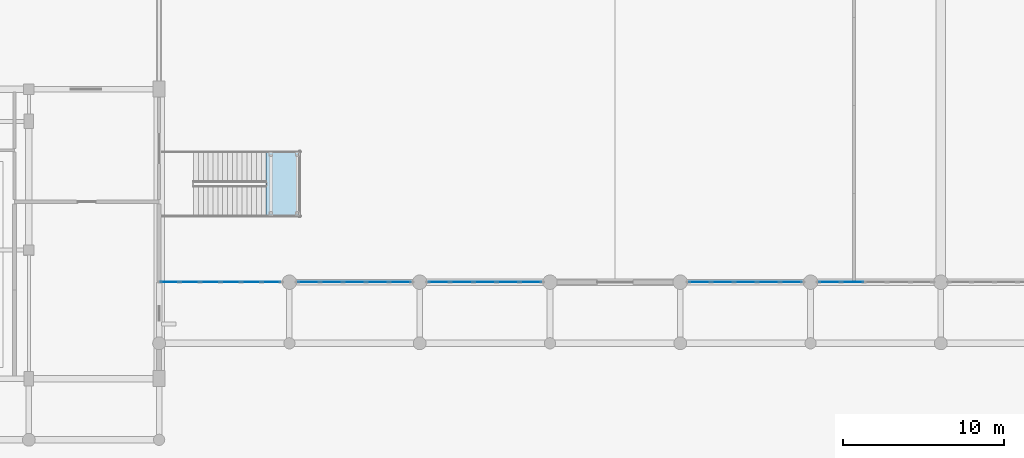
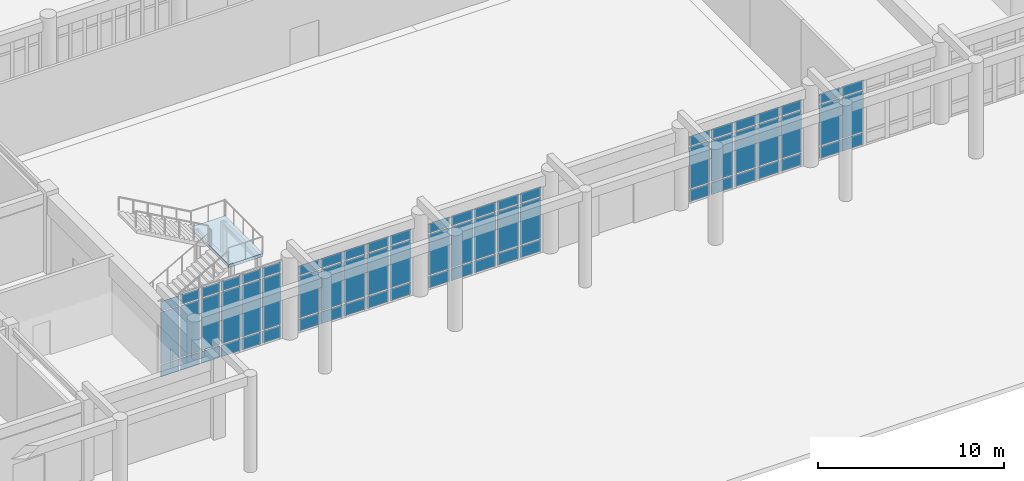
# One storey, part 31 of 62: 69 plates, 1 slab, 6 elements without a shape of their own.
"""IFC4 building model written with IfcOpenShell, lengths in metres."""

from ifc_helpers import new_model, si_unit, direction, frame, origin, origin_2d, place, context, subcontext, project, spatial, polyline, rectangle, outline, extrude, material, layer, layer_set, type_object, element, aggregate, save


model = new_model("IFC4")

# Units and contexts
model_context = context("Model", 3, precision=1e-05, world=origin(), true_north=direction((0.0, 1.0)))
body_context = subcontext(model_context, "Body", "Model", "MODEL_VIEW")
ifc_project = project(units=[si_unit("LENGTHUNIT", "METRE"), si_unit("AREAUNIT", "SQUARE_METRE"), si_unit("VOLUMEUNIT", "CUBIC_METRE"), si_unit("PLANEANGLEUNIT", "RADIAN"), si_unit("MASSUNIT", "GRAM", prefix="KILO")], contexts=[model_context])

# Site, building, storey
site_placement = place(None, origin())
site = spatial("IfcSite", under=ifc_project, at=site_placement, CompositionType="ELEMENT")
building_placement = place(site_placement, origin())
building = spatial("IfcBuilding", under=site, at=building_placement, Name="Tarnveldt Square Police Headquarters", CompositionType="ELEMENT")
storey_placement = place(building_placement, origin())
storey = spatial("IfcBuildingStorey", under=building, at=storey_placement, Name="L00", CompositionType="ELEMENT", Elevation=0.0)

# Curtain wall, plates
ifc_material_1 = material(Name="Triple-glazed low-e laminated vision glass", Category="glass")
curtain_wall_type_1 = type_object("IfcCurtainWallType", Name="CW-EH-764x512", PredefinedType="USERDEFINED", material=ifc_material_1)
curtain_wall_1_placement = place(storey_placement, origin())
curtain_wall_1 = element("IfcCurtainWall", 1, at=curtain_wall_1_placement, inside=storey, type_object=curtain_wall_type_1, Name="L00 Curtain Wall CW-L00-001", ObjectType="GLAZED CURTAIN WALL", PredefinedType="USERDEFINED")
ifc_material_2 = material(Name="UL 752 Level III laminated ballistic vision glass", Category="glass")
ifc_layer_1 = layer(ifc_material_2, 0.0380859375)
ifc_layer_set_1 = layer_set([ifc_layer_1], Name="UL 752 Level III laminated ballistic vision glass")
plate_type = type_object("IfcPlateType", Name="CWP-BAL-38", PredefinedType="CURTAIN_PANEL", material=ifc_layer_set_1)
plate_1_placement = place(storey_placement, frame((65.458740234375, 22.0, 0.0849609375), z_axis=(0.0, 0.0, 1.0), x_axis=(1.0, 0.0, 0.0)))
plate_1 = element("IfcPlate", 2, at=plate_1_placement, type_object=plate_type, Name="CW-EH01 panel 1.1", PredefinedType="CURTAIN_PANEL", context=body_context, shape_type="SweptSolid", body=[
    extrude(rectangle(XDim=1.137451171875, YDim=0.0380859375, at=origin_2d()), origin(), (0.0, 0.0, 1.0), 0.7724609375),
])
plate_2_placement = place(storey_placement, frame((65.458740234375, 22.0, 0.9423828125), z_axis=(0.0, 0.0, 1.0), x_axis=(1.0, 0.0, 0.0)))
plate_2 = element("IfcPlate", 3, at=plate_2_placement, type_object=plate_type, Name="CW-EH01 panel 1.2", PredefinedType="CURTAIN_PANEL", context=body_context, shape_type="SweptSolid", body=[
    extrude(rectangle(XDim=1.137451171875, YDim=0.0380859375, at=origin_2d()), origin(), (0.0, 0.0, 1.0), 3.385009765625),
])
plate_3_placement = place(storey_placement, frame((65.458740234375, 22.0, 4.412353515625), z_axis=(0.0, 0.0, 1.0), x_axis=(1.0, 0.0, 0.0)))
plate_3 = element("IfcPlate", 4, at=plate_3_placement, type_object=plate_type, Name="CW-EH01 panel 1.3", PredefinedType="CURTAIN_PANEL", context=body_context, shape_type="SweptSolid", body=[
    extrude(rectangle(XDim=1.137451171875, YDim=0.0380859375, at=origin_2d()), origin(), (0.0, 0.0, 1.0), 0.62255859375),
])
plate_4_placement = place(storey_placement, frame((66.708740234375, 22.0, 0.0849609375), z_axis=(0.0, 0.0, 1.0), x_axis=(1.0, 0.0, 0.0)))
plate_4 = element("IfcPlate", 5, at=plate_4_placement, type_object=plate_type, Name="CW-EH01 panel 2.1", PredefinedType="CURTAIN_PANEL", context=body_context, shape_type="SweptSolid", body=[
    extrude(rectangle(XDim=1.1826171875, YDim=0.0380859375, at=origin_2d()), origin(), (0.0, 0.0, 1.0), 0.7724609375),
])
plate_5_placement = place(storey_placement, frame((66.708740234375, 22.0, 0.9423828125), z_axis=(0.0, 0.0, 1.0), x_axis=(1.0, 0.0, 0.0)))
plate_5 = element("IfcPlate", 6, at=plate_5_placement, type_object=plate_type, Name="CW-EH01 panel 2.2", PredefinedType="CURTAIN_PANEL", context=body_context, shape_type="SweptSolid", body=[
    extrude(rectangle(XDim=1.1826171875, YDim=0.0380859375, at=origin_2d()), origin(), (0.0, 0.0, 1.0), 3.385009765625),
])
plate_6_placement = place(storey_placement, frame((66.708740234375, 22.0, 4.412353515625), z_axis=(0.0, 0.0, 1.0), x_axis=(1.0, 0.0, 0.0)))
plate_6 = element("IfcPlate", 7, at=plate_6_placement, type_object=plate_type, Name="CW-EH01 panel 2.3", PredefinedType="CURTAIN_PANEL", context=body_context, shape_type="SweptSolid", body=[
    extrude(rectangle(XDim=1.1826171875, YDim=0.0380859375, at=origin_2d()), origin(), (0.0, 0.0, 1.0), 0.62255859375),
])
plate_7_placement = place(storey_placement, frame((67.981201171875, 22.0, 0.0849609375), z_axis=(0.0, 0.0, 1.0), x_axis=(1.0, 0.0, 0.0)))
plate_7 = element("IfcPlate", 8, at=plate_7_placement, type_object=plate_type, Name="CW-EH01 panel 3.1", PredefinedType="CURTAIN_PANEL", context=body_context, shape_type="SweptSolid", body=[
    extrude(rectangle(XDim=1.1826171875, YDim=0.0380859375, at=origin_2d()), origin(), (0.0, 0.0, 1.0), 0.7724609375),
])
plate_8_placement = place(storey_placement, frame((67.981201171875, 22.0, 0.9423828125), z_axis=(0.0, 0.0, 1.0), x_axis=(1.0, 0.0, 0.0)))
plate_8 = element("IfcPlate", 9, at=plate_8_placement, type_object=plate_type, Name="CW-EH01 panel 3.2", PredefinedType="CURTAIN_PANEL", context=body_context, shape_type="SweptSolid", body=[
    extrude(rectangle(XDim=1.1826171875, YDim=0.0380859375, at=origin_2d()), origin(), (0.0, 0.0, 1.0), 3.385009765625),
])
plate_9_placement = place(storey_placement, frame((67.981201171875, 22.0, 4.412353515625), z_axis=(0.0, 0.0, 1.0), x_axis=(1.0, 0.0, 0.0)))
plate_9 = element("IfcPlate", 10, at=plate_9_placement, type_object=plate_type, Name="CW-EH01 panel 3.3", PredefinedType="CURTAIN_PANEL", context=body_context, shape_type="SweptSolid", body=[
    extrude(rectangle(XDim=1.1826171875, YDim=0.0380859375, at=origin_2d()), origin(), (0.0, 0.0, 1.0), 0.62255859375),
])
plate_10_placement = place(storey_placement, frame((69.253662109375, 22.0, 0.0849609375), z_axis=(0.0, 0.0, 1.0), x_axis=(1.0, 0.0, 0.0)))
plate_10 = element("IfcPlate", 11, at=plate_10_placement, type_object=plate_type, Name="CW-EH01 panel 4.1", PredefinedType="CURTAIN_PANEL", context=body_context, shape_type="SweptSolid", body=[
    extrude(rectangle(XDim=1.1826171875, YDim=0.0380859375, at=origin_2d()), origin(), (0.0, 0.0, 1.0), 0.7724609375),
])
plate_11_placement = place(storey_placement, frame((69.253662109375, 22.0, 0.9423828125), z_axis=(0.0, 0.0, 1.0), x_axis=(1.0, 0.0, 0.0)))
plate_11 = element("IfcPlate", 12, at=plate_11_placement, type_object=plate_type, Name="CW-EH01 panel 4.2", PredefinedType="CURTAIN_PANEL", context=body_context, shape_type="SweptSolid", body=[
    extrude(rectangle(XDim=1.1826171875, YDim=0.0380859375, at=origin_2d()), origin(), (0.0, 0.0, 1.0), 3.385009765625),
])
plate_12_placement = place(storey_placement, frame((69.253662109375, 22.0, 4.412353515625), z_axis=(0.0, 0.0, 1.0), x_axis=(1.0, 0.0, 0.0)))
plate_12 = element("IfcPlate", 13, at=plate_12_placement, type_object=plate_type, Name="CW-EH01 panel 4.3", PredefinedType="CURTAIN_PANEL", context=body_context, shape_type="SweptSolid", body=[
    extrude(rectangle(XDim=1.1826171875, YDim=0.0380859375, at=origin_2d()), origin(), (0.0, 0.0, 1.0), 0.62255859375),
])
plate_13_placement = place(storey_placement, frame((70.5263671875, 22.0, 0.0849609375), z_axis=(0.0, 0.0, 1.0), x_axis=(1.0, 0.0, 0.0)))
plate_13 = element("IfcPlate", 14, at=plate_13_placement, type_object=plate_type, Name="CW-EH01 panel 5.1", PredefinedType="CURTAIN_PANEL", context=body_context, shape_type="SweptSolid", body=[
    extrude(rectangle(XDim=1.1826171875, YDim=0.0380859375, at=origin_2d()), origin(), (0.0, 0.0, 1.0), 0.7724609375),
])
plate_14_placement = place(storey_placement, frame((70.5263671875, 22.0, 0.9423828125), z_axis=(0.0, 0.0, 1.0), x_axis=(1.0, 0.0, 0.0)))
plate_14 = element("IfcPlate", 15, at=plate_14_placement, type_object=plate_type, Name="CW-EH01 panel 5.2", PredefinedType="CURTAIN_PANEL", context=body_context, shape_type="SweptSolid", body=[
    extrude(rectangle(XDim=1.1826171875, YDim=0.0380859375, at=origin_2d()), origin(), (0.0, 0.0, 1.0), 3.385009765625),
])
plate_15_placement = place(storey_placement, frame((70.5263671875, 22.0, 4.412353515625), z_axis=(0.0, 0.0, 1.0), x_axis=(1.0, 0.0, 0.0)))
plate_15 = element("IfcPlate", 16, at=plate_15_placement, type_object=plate_type, Name="CW-EH01 panel 5.3", PredefinedType="CURTAIN_PANEL", context=body_context, shape_type="SweptSolid", body=[
    extrude(rectangle(XDim=1.1826171875, YDim=0.0380859375, at=origin_2d()), origin(), (0.0, 0.0, 1.0), 0.62255859375),
])
plate_16_placement = place(storey_placement, frame((71.7763671875, 22.0, 0.0849609375), z_axis=(0.0, 0.0, 1.0), x_axis=(1.0, 0.0, 0.0)))
plate_16 = element("IfcPlate", 17, at=plate_16_placement, type_object=plate_type, Name="CW-EH01 panel 6.1", PredefinedType="CURTAIN_PANEL", context=body_context, shape_type="SweptSolid", body=[
    extrude(rectangle(XDim=1.137451171875, YDim=0.0380859375, at=origin_2d()), origin(), (0.0, 0.0, 1.0), 0.7724609375),
])
plate_17_placement = place(storey_placement, frame((71.7763671875, 22.0, 0.9423828125), z_axis=(0.0, 0.0, 1.0), x_axis=(1.0, 0.0, 0.0)))
plate_17 = element("IfcPlate", 18, at=plate_17_placement, type_object=plate_type, Name="CW-EH01 panel 6.2", PredefinedType="CURTAIN_PANEL", context=body_context, shape_type="SweptSolid", body=[
    extrude(rectangle(XDim=1.137451171875, YDim=0.0380859375, at=origin_2d()), origin(), (0.0, 0.0, 1.0), 3.385009765625),
])
plate_18_placement = place(storey_placement, frame((71.7763671875, 22.0, 4.412353515625), z_axis=(0.0, 0.0, 1.0), x_axis=(1.0, 0.0, 0.0)))
plate_18 = element("IfcPlate", 19, at=plate_18_placement, type_object=plate_type, Name="CW-EH01 panel 6.3", PredefinedType="CURTAIN_PANEL", context=body_context, shape_type="SweptSolid", body=[
    extrude(rectangle(XDim=1.137451171875, YDim=0.0380859375, at=origin_2d()), origin(), (0.0, 0.0, 1.0), 0.62255859375),
])
aggregate(curtain_wall_1, [plate_1, plate_2, plate_3, plate_4, plate_5, plate_6, plate_7, plate_8, plate_9, plate_10, plate_11, plate_12, plate_13, plate_14, plate_15, plate_16, plate_17, plate_18])

curtain_wall_type_2 = type_object("IfcCurtainWallType", Name="CW-EH-717x446", PredefinedType="USERDEFINED", material=ifc_material_1)
curtain_wall_2_placement = place(storey_placement, origin())
curtain_wall_2 = element("IfcCurtainWall", 20, at=curtain_wall_2_placement, inside=storey, type_object=curtain_wall_type_2, Name="L00 Curtain Wall CW-L00-002", ObjectType="GLAZED CURTAIN WALL", PredefinedType="USERDEFINED")
plate_19_placement = place(storey_placement, frame((74.1044921875, 22.0, 0.0849609375), z_axis=(0.0, 0.0, 1.0), x_axis=(1.0, 0.0, 0.0)))
plate_19 = element("IfcPlate", 21, at=plate_19_placement, type_object=plate_type, Name="CW-EH02 panel 1.1", PredefinedType="CURTAIN_PANEL", context=body_context, shape_type="SweptSolid", body=[
    extrude(rectangle(XDim=1.299072265625, YDim=0.0380859375, at=origin_2d()), origin(), (0.0, 0.0, 1.0), 0.7724609375),
])
plate_20_placement = place(storey_placement, frame((74.1044921875, 22.0, 0.9423828125), z_axis=(0.0, 0.0, 1.0), x_axis=(1.0, 0.0, 0.0)))
plate_20 = element("IfcPlate", 22, at=plate_20_placement, type_object=plate_type, Name="CW-EH02 panel 1.2", PredefinedType="CURTAIN_PANEL", context=body_context, shape_type="SweptSolid", body=[
    extrude(rectangle(XDim=1.299072265625, YDim=0.0380859375, at=origin_2d()), origin(), (0.0, 0.0, 1.0), 2.72705078125),
])
plate_21_placement = place(storey_placement, frame((74.1044921875, 22.0, 3.75439453125), z_axis=(0.0, 0.0, 1.0), x_axis=(1.0, 0.0, 0.0)))
plate_21 = element("IfcPlate", 23, at=plate_21_placement, type_object=plate_type, Name="CW-EH02 panel 1.3", PredefinedType="CURTAIN_PANEL", context=body_context, shape_type="SweptSolid", body=[
    extrude(rectangle(XDim=1.299072265625, YDim=0.0380859375, at=origin_2d()), origin(), (0.0, 0.0, 1.0), 0.62255859375),
])
plate_22_placement = place(storey_placement, frame((75.51611328125, 22.0, 0.0849609375), z_axis=(0.0, 0.0, 1.0), x_axis=(1.0, 0.0, 0.0)))
plate_22 = element("IfcPlate", 24, at=plate_22_placement, type_object=plate_type, Name="CW-EH02 panel 2.1", PredefinedType="CURTAIN_PANEL", context=body_context, shape_type="SweptSolid", body=[
    extrude(rectangle(XDim=1.343994140625, YDim=0.0380859375, at=origin_2d()), origin(), (0.0, 0.0, 1.0), 0.7724609375),
])
plate_23_placement = place(storey_placement, frame((75.51611328125, 22.0, 0.9423828125), z_axis=(0.0, 0.0, 1.0), x_axis=(1.0, 0.0, 0.0)))
plate_23 = element("IfcPlate", 25, at=plate_23_placement, type_object=plate_type, Name="CW-EH02 panel 2.2", PredefinedType="CURTAIN_PANEL", context=body_context, shape_type="SweptSolid", body=[
    extrude(rectangle(XDim=1.343994140625, YDim=0.0380859375, at=origin_2d()), origin(), (0.0, 0.0, 1.0), 2.72705078125),
])
plate_24_placement = place(storey_placement, frame((75.51611328125, 22.0, 3.75439453125), z_axis=(0.0, 0.0, 1.0), x_axis=(1.0, 0.0, 0.0)))
plate_24 = element("IfcPlate", 26, at=plate_24_placement, type_object=plate_type, Name="CW-EH02 panel 2.3", PredefinedType="CURTAIN_PANEL", context=body_context, shape_type="SweptSolid", body=[
    extrude(rectangle(XDim=1.343994140625, YDim=0.0380859375, at=origin_2d()), origin(), (0.0, 0.0, 1.0), 0.62255859375),
])
plate_25_placement = place(storey_placement, frame((76.949951171875, 22.0, 0.0849609375), z_axis=(0.0, 0.0, 1.0), x_axis=(1.0, 0.0, 0.0)))
plate_25 = element("IfcPlate", 27, at=plate_25_placement, type_object=plate_type, Name="CW-EH02 panel 3.1", PredefinedType="CURTAIN_PANEL", context=body_context, shape_type="SweptSolid", body=[
    extrude(rectangle(XDim=1.343994140625, YDim=0.0380859375, at=origin_2d()), origin(), (0.0, 0.0, 1.0), 0.7724609375),
])
plate_26_placement = place(storey_placement, frame((76.949951171875, 22.0, 0.9423828125), z_axis=(0.0, 0.0, 1.0), x_axis=(1.0, 0.0, 0.0)))
plate_26 = element("IfcPlate", 28, at=plate_26_placement, type_object=plate_type, Name="CW-EH02 panel 3.2", PredefinedType="CURTAIN_PANEL", context=body_context, shape_type="SweptSolid", body=[
    extrude(rectangle(XDim=1.343994140625, YDim=0.0380859375, at=origin_2d()), origin(), (0.0, 0.0, 1.0), 2.72705078125),
])
plate_27_placement = place(storey_placement, frame((76.949951171875, 22.0, 3.75439453125), z_axis=(0.0, 0.0, 1.0), x_axis=(1.0, 0.0, 0.0)))
plate_27 = element("IfcPlate", 29, at=plate_27_placement, type_object=plate_type, Name="CW-EH02 panel 3.3", PredefinedType="CURTAIN_PANEL", context=body_context, shape_type="SweptSolid", body=[
    extrude(rectangle(XDim=1.343994140625, YDim=0.0380859375, at=origin_2d()), origin(), (0.0, 0.0, 1.0), 0.62255859375),
])
plate_28_placement = place(storey_placement, frame((78.384033203125, 22.0, 0.0849609375), z_axis=(0.0, 0.0, 1.0), x_axis=(1.0, 0.0, 0.0)))
plate_28 = element("IfcPlate", 30, at=plate_28_placement, type_object=plate_type, Name="CW-EH02 panel 4.1", PredefinedType="CURTAIN_PANEL", context=body_context, shape_type="SweptSolid", body=[
    extrude(rectangle(XDim=1.343994140625, YDim=0.0380859375, at=origin_2d()), origin(), (0.0, 0.0, 1.0), 0.7724609375),
])
plate_29_placement = place(storey_placement, frame((78.384033203125, 22.0, 0.9423828125), z_axis=(0.0, 0.0, 1.0), x_axis=(1.0, 0.0, 0.0)))
plate_29 = element("IfcPlate", 31, at=plate_29_placement, type_object=plate_type, Name="CW-EH02 panel 4.2", PredefinedType="CURTAIN_PANEL", context=body_context, shape_type="SweptSolid", body=[
    extrude(rectangle(XDim=1.343994140625, YDim=0.0380859375, at=origin_2d()), origin(), (0.0, 0.0, 1.0), 2.72705078125),
])
plate_30_placement = place(storey_placement, frame((78.384033203125, 22.0, 3.75439453125), z_axis=(0.0, 0.0, 1.0), x_axis=(1.0, 0.0, 0.0)))
plate_30 = element("IfcPlate", 32, at=plate_30_placement, type_object=plate_type, Name="CW-EH02 panel 4.3", PredefinedType="CURTAIN_PANEL", context=body_context, shape_type="SweptSolid", body=[
    extrude(rectangle(XDim=1.343994140625, YDim=0.0380859375, at=origin_2d()), origin(), (0.0, 0.0, 1.0), 0.62255859375),
])
plate_31_placement = place(storey_placement, frame((79.79541015625, 22.0, 0.0849609375), z_axis=(0.0, 0.0, 1.0), x_axis=(1.0, 0.0, 0.0)))
plate_31 = element("IfcPlate", 33, at=plate_31_placement, type_object=plate_type, Name="CW-EH02 panel 5.1", PredefinedType="CURTAIN_PANEL", context=body_context, shape_type="SweptSolid", body=[
    extrude(rectangle(XDim=1.299072265625, YDim=0.0380859375, at=origin_2d()), origin(), (0.0, 0.0, 1.0), 0.7724609375),
])
plate_32_placement = place(storey_placement, frame((79.79541015625, 22.0, 0.9423828125), z_axis=(0.0, 0.0, 1.0), x_axis=(1.0, 0.0, 0.0)))
plate_32 = element("IfcPlate", 34, at=plate_32_placement, type_object=plate_type, Name="CW-EH02 panel 5.2", PredefinedType="CURTAIN_PANEL", context=body_context, shape_type="SweptSolid", body=[
    extrude(rectangle(XDim=1.299072265625, YDim=0.0380859375, at=origin_2d()), origin(), (0.0, 0.0, 1.0), 2.72705078125),
])
plate_33_placement = place(storey_placement, frame((79.79541015625, 22.0, 3.75439453125), z_axis=(0.0, 0.0, 1.0), x_axis=(1.0, 0.0, 0.0)))
plate_33 = element("IfcPlate", 35, at=plate_33_placement, type_object=plate_type, Name="CW-EH02 panel 5.3", PredefinedType="CURTAIN_PANEL", context=body_context, shape_type="SweptSolid", body=[
    extrude(rectangle(XDim=1.299072265625, YDim=0.0380859375, at=origin_2d()), origin(), (0.0, 0.0, 1.0), 0.62255859375),
])
aggregate(curtain_wall_2, [plate_19, plate_20, plate_21, plate_22, plate_23, plate_24, plate_25, plate_26, plate_27, plate_28, plate_29, plate_30, plate_31, plate_32, plate_33])

curtain_wall_type_3 = type_object("IfcCurtainWallType", Name="CW-EH-717x441", PredefinedType="USERDEFINED", material=ifc_material_1)
curtain_wall_3_placement = place(storey_placement, origin())
curtain_wall_3 = element("IfcCurtainWall", 36, at=curtain_wall_3_placement, inside=storey, type_object=curtain_wall_type_3, Name="L00 Curtain Wall CW-L00-003", ObjectType="GLAZED CURTAIN WALL", PredefinedType="USERDEFINED")
plate_34_placement = place(storey_placement, frame((82.20458984375, 22.0, 0.0849609375), z_axis=(0.0, 0.0, 1.0), x_axis=(1.0, 0.0, 0.0)))
plate_34 = element("IfcPlate", 37, at=plate_34_placement, type_object=plate_type, Name="CW-EH03 panel 1.1", PredefinedType="CURTAIN_PANEL", context=body_context, shape_type="SweptSolid", body=[
    extrude(rectangle(XDim=1.299072265625, YDim=0.0380859375, at=origin_2d()), origin(), (0.0, 0.0, 1.0), 0.7724609375),
])
plate_35_placement = place(storey_placement, frame((82.20458984375, 22.0, 0.9423828125), z_axis=(0.0, 0.0, 1.0), x_axis=(1.0, 0.0, 0.0)))
plate_35 = element("IfcPlate", 38, at=plate_35_placement, type_object=plate_type, Name="CW-EH03 panel 1.2", PredefinedType="CURTAIN_PANEL", context=body_context, shape_type="SweptSolid", body=[
    extrude(rectangle(XDim=1.299072265625, YDim=0.0380859375, at=origin_2d()), origin(), (0.0, 0.0, 1.0), 2.677001953125),
])
plate_36_placement = place(storey_placement, frame((82.20458984375, 22.0, 3.70458984375), z_axis=(0.0, 0.0, 1.0), x_axis=(1.0, 0.0, 0.0)))
plate_36 = element("IfcPlate", 39, at=plate_36_placement, type_object=plate_type, Name="CW-EH03 panel 1.3", PredefinedType="CURTAIN_PANEL", context=body_context, shape_type="SweptSolid", body=[
    extrude(rectangle(XDim=1.299072265625, YDim=0.0380859375, at=origin_2d()), origin(), (0.0, 0.0, 1.0), 0.62255859375),
])
plate_37_placement = place(storey_placement, frame((83.615966796875, 22.0, 0.0849609375), z_axis=(0.0, 0.0, 1.0), x_axis=(1.0, 0.0, 0.0)))
plate_37 = element("IfcPlate", 40, at=plate_37_placement, type_object=plate_type, Name="CW-EH03 panel 2.1", PredefinedType="CURTAIN_PANEL", context=body_context, shape_type="SweptSolid", body=[
    extrude(rectangle(XDim=1.343994140625, YDim=0.0380859375, at=origin_2d()), origin(), (0.0, 0.0, 1.0), 0.7724609375),
])
plate_38_placement = place(storey_placement, frame((83.615966796875, 22.0, 0.9423828125), z_axis=(0.0, 0.0, 1.0), x_axis=(1.0, 0.0, 0.0)))
plate_38 = element("IfcPlate", 41, at=plate_38_placement, type_object=plate_type, Name="CW-EH03 panel 2.2", PredefinedType="CURTAIN_PANEL", context=body_context, shape_type="SweptSolid", body=[
    extrude(rectangle(XDim=1.343994140625, YDim=0.0380859375, at=origin_2d()), origin(), (0.0, 0.0, 1.0), 2.677001953125),
])
plate_39_placement = place(storey_placement, frame((83.615966796875, 22.0, 3.70458984375), z_axis=(0.0, 0.0, 1.0), x_axis=(1.0, 0.0, 0.0)))
plate_39 = element("IfcPlate", 42, at=plate_39_placement, type_object=plate_type, Name="CW-EH03 panel 2.3", PredefinedType="CURTAIN_PANEL", context=body_context, shape_type="SweptSolid", body=[
    extrude(rectangle(XDim=1.343994140625, YDim=0.0380859375, at=origin_2d()), origin(), (0.0, 0.0, 1.0), 0.62255859375),
])
plate_40_placement = place(storey_placement, frame((85.050048828125, 22.0, 0.0849609375), z_axis=(0.0, 0.0, 1.0), x_axis=(1.0, 0.0, 0.0)))
plate_40 = element("IfcPlate", 43, at=plate_40_placement, type_object=plate_type, Name="CW-EH03 panel 3.1", PredefinedType="CURTAIN_PANEL", context=body_context, shape_type="SweptSolid", body=[
    extrude(rectangle(XDim=1.343994140625, YDim=0.0380859375, at=origin_2d()), origin(), (0.0, 0.0, 1.0), 0.7724609375),
])
plate_41_placement = place(storey_placement, frame((85.050048828125, 22.0, 0.9423828125), z_axis=(0.0, 0.0, 1.0), x_axis=(1.0, 0.0, 0.0)))
plate_41 = element("IfcPlate", 44, at=plate_41_placement, type_object=plate_type, Name="CW-EH03 panel 3.2", PredefinedType="CURTAIN_PANEL", context=body_context, shape_type="SweptSolid", body=[
    extrude(rectangle(XDim=1.343994140625, YDim=0.0380859375, at=origin_2d()), origin(), (0.0, 0.0, 1.0), 2.677001953125),
])
plate_42_placement = place(storey_placement, frame((85.050048828125, 22.0, 3.70458984375), z_axis=(0.0, 0.0, 1.0), x_axis=(1.0, 0.0, 0.0)))
plate_42 = element("IfcPlate", 45, at=plate_42_placement, type_object=plate_type, Name="CW-EH03 panel 3.3", PredefinedType="CURTAIN_PANEL", context=body_context, shape_type="SweptSolid", body=[
    extrude(rectangle(XDim=1.343994140625, YDim=0.0380859375, at=origin_2d()), origin(), (0.0, 0.0, 1.0), 0.62255859375),
])
plate_43_placement = place(storey_placement, frame((86.48388671875, 22.0, 0.0849609375), z_axis=(0.0, 0.0, 1.0), x_axis=(1.0, 0.0, 0.0)))
plate_43 = element("IfcPlate", 46, at=plate_43_placement, type_object=plate_type, Name="CW-EH03 panel 4.1", PredefinedType="CURTAIN_PANEL", context=body_context, shape_type="SweptSolid", body=[
    extrude(rectangle(XDim=1.343994140625, YDim=0.0380859375, at=origin_2d()), origin(), (0.0, 0.0, 1.0), 0.7724609375),
])
plate_44_placement = place(storey_placement, frame((86.48388671875, 22.0, 0.9423828125), z_axis=(0.0, 0.0, 1.0), x_axis=(1.0, 0.0, 0.0)))
plate_44 = element("IfcPlate", 47, at=plate_44_placement, type_object=plate_type, Name="CW-EH03 panel 4.2", PredefinedType="CURTAIN_PANEL", context=body_context, shape_type="SweptSolid", body=[
    extrude(rectangle(XDim=1.343994140625, YDim=0.0380859375, at=origin_2d()), origin(), (0.0, 0.0, 1.0), 2.677001953125),
])
plate_45_placement = place(storey_placement, frame((86.48388671875, 22.0, 3.70458984375), z_axis=(0.0, 0.0, 1.0), x_axis=(1.0, 0.0, 0.0)))
plate_45 = element("IfcPlate", 48, at=plate_45_placement, type_object=plate_type, Name="CW-EH03 panel 4.3", PredefinedType="CURTAIN_PANEL", context=body_context, shape_type="SweptSolid", body=[
    extrude(rectangle(XDim=1.343994140625, YDim=0.0380859375, at=origin_2d()), origin(), (0.0, 0.0, 1.0), 0.62255859375),
])
plate_46_placement = place(storey_placement, frame((87.8955078125, 22.0, 0.0849609375), z_axis=(0.0, 0.0, 1.0), x_axis=(1.0, 0.0, 0.0)))
plate_46 = element("IfcPlate", 49, at=plate_46_placement, type_object=plate_type, Name="CW-EH03 panel 5.1", PredefinedType="CURTAIN_PANEL", context=body_context, shape_type="SweptSolid", body=[
    extrude(rectangle(XDim=1.299072265625, YDim=0.0380859375, at=origin_2d()), origin(), (0.0, 0.0, 1.0), 0.7724609375),
])
plate_47_placement = place(storey_placement, frame((87.8955078125, 22.0, 0.9423828125), z_axis=(0.0, 0.0, 1.0), x_axis=(1.0, 0.0, 0.0)))
plate_47 = element("IfcPlate", 50, at=plate_47_placement, type_object=plate_type, Name="CW-EH03 panel 5.2", PredefinedType="CURTAIN_PANEL", context=body_context, shape_type="SweptSolid", body=[
    extrude(rectangle(XDim=1.299072265625, YDim=0.0380859375, at=origin_2d()), origin(), (0.0, 0.0, 1.0), 2.677001953125),
])
plate_48_placement = place(storey_placement, frame((87.8955078125, 22.0, 3.70458984375), z_axis=(0.0, 0.0, 1.0), x_axis=(1.0, 0.0, 0.0)))
plate_48 = element("IfcPlate", 51, at=plate_48_placement, type_object=plate_type, Name="CW-EH03 panel 5.3", PredefinedType="CURTAIN_PANEL", context=body_context, shape_type="SweptSolid", body=[
    extrude(rectangle(XDim=1.299072265625, YDim=0.0380859375, at=origin_2d()), origin(), (0.0, 0.0, 1.0), 0.62255859375),
])
aggregate(curtain_wall_3, [plate_34, plate_35, plate_36, plate_37, plate_38, plate_39, plate_40, plate_41, plate_42, plate_43, plate_44, plate_45, plate_46, plate_47, plate_48])

curtain_wall_4_placement = place(storey_placement, origin())
curtain_wall_4 = element("IfcCurtainWall", 52, at=curtain_wall_4_placement, inside=storey, type_object=curtain_wall_type_2, Name="L00 Curtain Wall CW-L00-004", ObjectType="GLAZED CURTAIN WALL", PredefinedType="USERDEFINED")
plate_49_placement = place(storey_placement, frame((98.404541015625, 22.0, 0.0849609375), z_axis=(0.0, 0.0, 1.0), x_axis=(1.0, 0.0, 0.0)))
plate_49 = element("IfcPlate", 53, at=plate_49_placement, type_object=plate_type, Name="CW-EH02 panel 1.1", PredefinedType="CURTAIN_PANEL", context=body_context, shape_type="SweptSolid", body=[
    extrude(rectangle(XDim=1.299072265625, YDim=0.0380859375, at=origin_2d()), origin(), (0.0, 0.0, 1.0), 0.7724609375),
])
plate_50_placement = place(storey_placement, frame((98.404541015625, 22.0, 0.9423828125), z_axis=(0.0, 0.0, 1.0), x_axis=(1.0, 0.0, 0.0)))
plate_50 = element("IfcPlate", 54, at=plate_50_placement, type_object=plate_type, Name="CW-EH02 panel 1.2", PredefinedType="CURTAIN_PANEL", context=body_context, shape_type="SweptSolid", body=[
    extrude(rectangle(XDim=1.299072265625, YDim=0.0380859375, at=origin_2d()), origin(), (0.0, 0.0, 1.0), 2.72705078125),
])
plate_51_placement = place(storey_placement, frame((98.404541015625, 22.0, 3.75439453125), z_axis=(0.0, 0.0, 1.0), x_axis=(1.0, 0.0, 0.0)))
plate_51 = element("IfcPlate", 55, at=plate_51_placement, type_object=plate_type, Name="CW-EH02 panel 1.3", PredefinedType="CURTAIN_PANEL", context=body_context, shape_type="SweptSolid", body=[
    extrude(rectangle(XDim=1.299072265625, YDim=0.0380859375, at=origin_2d()), origin(), (0.0, 0.0, 1.0), 0.62255859375),
])
plate_52_placement = place(storey_placement, frame((99.81591796875, 22.0, 0.0849609375), z_axis=(0.0, 0.0, 1.0), x_axis=(1.0, 0.0, 0.0)))
plate_52 = element("IfcPlate", 56, at=plate_52_placement, type_object=plate_type, Name="CW-EH02 panel 2.1", PredefinedType="CURTAIN_PANEL", context=body_context, shape_type="SweptSolid", body=[
    extrude(rectangle(XDim=1.343994140625, YDim=0.0380859375, at=origin_2d()), origin(), (0.0, 0.0, 1.0), 0.7724609375),
])
plate_53_placement = place(storey_placement, frame((99.81591796875, 22.0, 0.9423828125), z_axis=(0.0, 0.0, 1.0), x_axis=(1.0, 0.0, 0.0)))
plate_53 = element("IfcPlate", 57, at=plate_53_placement, type_object=plate_type, Name="CW-EH02 panel 2.2", PredefinedType="CURTAIN_PANEL", context=body_context, shape_type="SweptSolid", body=[
    extrude(rectangle(XDim=1.343994140625, YDim=0.0380859375, at=origin_2d()), origin(), (0.0, 0.0, 1.0), 2.72705078125),
])
plate_54_placement = place(storey_placement, frame((99.81591796875, 22.0, 3.75439453125), z_axis=(0.0, 0.0, 1.0), x_axis=(1.0, 0.0, 0.0)))
plate_54 = element("IfcPlate", 58, at=plate_54_placement, type_object=plate_type, Name="CW-EH02 panel 2.3", PredefinedType="CURTAIN_PANEL", context=body_context, shape_type="SweptSolid", body=[
    extrude(rectangle(XDim=1.343994140625, YDim=0.0380859375, at=origin_2d()), origin(), (0.0, 0.0, 1.0), 0.62255859375),
])
plate_55_placement = place(storey_placement, frame((101.25, 22.0, 0.0849609375), z_axis=(0.0, 0.0, 1.0), x_axis=(1.0, 0.0, 0.0)))
plate_55 = element("IfcPlate", 59, at=plate_55_placement, type_object=plate_type, Name="CW-EH02 panel 3.1", PredefinedType="CURTAIN_PANEL", context=body_context, shape_type="SweptSolid", body=[
    extrude(rectangle(XDim=1.343994140625, YDim=0.0380859375, at=origin_2d()), origin(), (0.0, 0.0, 1.0), 0.7724609375),
])
plate_56_placement = place(storey_placement, frame((101.25, 22.0, 0.9423828125), z_axis=(0.0, 0.0, 1.0), x_axis=(1.0, 0.0, 0.0)))
plate_56 = element("IfcPlate", 60, at=plate_56_placement, type_object=plate_type, Name="CW-EH02 panel 3.2", PredefinedType="CURTAIN_PANEL", context=body_context, shape_type="SweptSolid", body=[
    extrude(rectangle(XDim=1.343994140625, YDim=0.0380859375, at=origin_2d()), origin(), (0.0, 0.0, 1.0), 2.72705078125),
])
plate_57_placement = place(storey_placement, frame((101.25, 22.0, 3.75439453125), z_axis=(0.0, 0.0, 1.0), x_axis=(1.0, 0.0, 0.0)))
plate_57 = element("IfcPlate", 61, at=plate_57_placement, type_object=plate_type, Name="CW-EH02 panel 3.3", PredefinedType="CURTAIN_PANEL", context=body_context, shape_type="SweptSolid", body=[
    extrude(rectangle(XDim=1.343994140625, YDim=0.0380859375, at=origin_2d()), origin(), (0.0, 0.0, 1.0), 0.62255859375),
])
plate_58_placement = place(storey_placement, frame((102.68408203125, 22.0, 0.0849609375), z_axis=(0.0, 0.0, 1.0), x_axis=(1.0, 0.0, 0.0)))
plate_58 = element("IfcPlate", 62, at=plate_58_placement, type_object=plate_type, Name="CW-EH02 panel 4.1", PredefinedType="CURTAIN_PANEL", context=body_context, shape_type="SweptSolid", body=[
    extrude(rectangle(XDim=1.343994140625, YDim=0.0380859375, at=origin_2d()), origin(), (0.0, 0.0, 1.0), 0.7724609375),
])
plate_59_placement = place(storey_placement, frame((102.68408203125, 22.0, 0.9423828125), z_axis=(0.0, 0.0, 1.0), x_axis=(1.0, 0.0, 0.0)))
plate_59 = element("IfcPlate", 63, at=plate_59_placement, type_object=plate_type, Name="CW-EH02 panel 4.2", PredefinedType="CURTAIN_PANEL", context=body_context, shape_type="SweptSolid", body=[
    extrude(rectangle(XDim=1.343994140625, YDim=0.0380859375, at=origin_2d()), origin(), (0.0, 0.0, 1.0), 2.72705078125),
])
plate_60_placement = place(storey_placement, frame((102.68408203125, 22.0, 3.75439453125), z_axis=(0.0, 0.0, 1.0), x_axis=(1.0, 0.0, 0.0)))
plate_60 = element("IfcPlate", 64, at=plate_60_placement, type_object=plate_type, Name="CW-EH02 panel 4.3", PredefinedType="CURTAIN_PANEL", context=body_context, shape_type="SweptSolid", body=[
    extrude(rectangle(XDim=1.343994140625, YDim=0.0380859375, at=origin_2d()), origin(), (0.0, 0.0, 1.0), 0.62255859375),
])
plate_61_placement = place(storey_placement, frame((104.095458984375, 22.0, 0.0849609375), z_axis=(0.0, 0.0, 1.0), x_axis=(1.0, 0.0, 0.0)))
plate_61 = element("IfcPlate", 65, at=plate_61_placement, type_object=plate_type, Name="CW-EH02 panel 5.1", PredefinedType="CURTAIN_PANEL", context=body_context, shape_type="SweptSolid", body=[
    extrude(rectangle(XDim=1.299072265625, YDim=0.0380859375, at=origin_2d()), origin(), (0.0, 0.0, 1.0), 0.7724609375),
])
plate_62_placement = place(storey_placement, frame((104.095458984375, 22.0, 0.9423828125), z_axis=(0.0, 0.0, 1.0), x_axis=(1.0, 0.0, 0.0)))
plate_62 = element("IfcPlate", 66, at=plate_62_placement, type_object=plate_type, Name="CW-EH02 panel 5.2", PredefinedType="CURTAIN_PANEL", context=body_context, shape_type="SweptSolid", body=[
    extrude(rectangle(XDim=1.299072265625, YDim=0.0380859375, at=origin_2d()), origin(), (0.0, 0.0, 1.0), 2.72705078125),
])
plate_63_placement = place(storey_placement, frame((104.095458984375, 22.0, 3.75439453125), z_axis=(0.0, 0.0, 1.0), x_axis=(1.0, 0.0, 0.0)))
plate_63 = element("IfcPlate", 67, at=plate_63_placement, type_object=plate_type, Name="CW-EH02 panel 5.3", PredefinedType="CURTAIN_PANEL", context=body_context, shape_type="SweptSolid", body=[
    extrude(rectangle(XDim=1.299072265625, YDim=0.0380859375, at=origin_2d()), origin(), (0.0, 0.0, 1.0), 0.62255859375),
])
aggregate(curtain_wall_4, [plate_49, plate_50, plate_51, plate_52, plate_53, plate_54, plate_55, plate_56, plate_57, plate_58, plate_59, plate_60, plate_61, plate_62, plate_63])

curtain_wall_5_placement = place(storey_placement, origin())
curtain_wall_5 = element("IfcCurtainWall", 68, at=curtain_wall_5_placement, inside=storey, type_object=curtain_wall_type_3, Name="L00 Curtain Wall CW-L00-005", ObjectType="GLAZED CURTAIN WALL", PredefinedType="USERDEFINED")
plate_64_placement = place(storey_placement, frame((106.50439453125, 22.0, 0.0849609375), z_axis=(0.0, 0.0, 1.0), x_axis=(1.0, 0.0, 0.0)))
plate_64 = element("IfcPlate", 69, at=plate_64_placement, type_object=plate_type, Name="CW-EH03 panel 1.1", PredefinedType="CURTAIN_PANEL", context=body_context, shape_type="SweptSolid", body=[
    extrude(rectangle(XDim=1.299072265625, YDim=0.0380859375, at=origin_2d()), origin(), (0.0, 0.0, 1.0), 0.7724609375),
])
plate_65_placement = place(storey_placement, frame((106.50439453125, 22.0, 0.9423828125), z_axis=(0.0, 0.0, 1.0), x_axis=(1.0, 0.0, 0.0)))
plate_65 = element("IfcPlate", 70, at=plate_65_placement, type_object=plate_type, Name="CW-EH03 panel 1.2", PredefinedType="CURTAIN_PANEL", context=body_context, shape_type="SweptSolid", body=[
    extrude(rectangle(XDim=1.299072265625, YDim=0.0380859375, at=origin_2d()), origin(), (0.0, 0.0, 1.0), 2.677001953125),
])
plate_66_placement = place(storey_placement, frame((106.50439453125, 22.0, 3.70458984375), z_axis=(0.0, 0.0, 1.0), x_axis=(1.0, 0.0, 0.0)))
plate_66 = element("IfcPlate", 71, at=plate_66_placement, type_object=plate_type, Name="CW-EH03 panel 1.3", PredefinedType="CURTAIN_PANEL", context=body_context, shape_type="SweptSolid", body=[
    extrude(rectangle(XDim=1.299072265625, YDim=0.0380859375, at=origin_2d()), origin(), (0.0, 0.0, 1.0), 0.62255859375),
])
plate_67_placement = place(storey_placement, frame((107.916015625, 22.0, 0.0849609375), z_axis=(0.0, 0.0, 1.0), x_axis=(1.0, 0.0, 0.0)))
plate_67 = element("IfcPlate", 72, at=plate_67_placement, type_object=plate_type, Name="CW-EH03 panel 2.1", PredefinedType="CURTAIN_PANEL", context=body_context, shape_type="SweptSolid", body=[
    extrude(rectangle(XDim=1.343994140625, YDim=0.0380859375, at=origin_2d()), origin(), (0.0, 0.0, 1.0), 0.7724609375),
])
plate_68_placement = place(storey_placement, frame((107.916015625, 22.0, 0.9423828125), z_axis=(0.0, 0.0, 1.0), x_axis=(1.0, 0.0, 0.0)))
plate_68 = element("IfcPlate", 73, at=plate_68_placement, type_object=plate_type, Name="CW-EH03 panel 2.2", PredefinedType="CURTAIN_PANEL", context=body_context, shape_type="SweptSolid", body=[
    extrude(rectangle(XDim=1.343994140625, YDim=0.0380859375, at=origin_2d()), origin(), (0.0, 0.0, 1.0), 2.677001953125),
])
plate_69_placement = place(storey_placement, frame((107.916015625, 22.0, 3.70458984375), z_axis=(0.0, 0.0, 1.0), x_axis=(1.0, 0.0, 0.0)))
plate_69 = element("IfcPlate", 74, at=plate_69_placement, type_object=plate_type, Name="CW-EH03 panel 2.3", PredefinedType="CURTAIN_PANEL", context=body_context, shape_type="SweptSolid", body=[
    extrude(rectangle(XDim=1.343994140625, YDim=0.0380859375, at=origin_2d()), origin(), (0.0, 0.0, 1.0), 0.62255859375),
])
aggregate(curtain_wall_5, [plate_64, plate_65, plate_66, plate_67, plate_68, plate_69])

# Stair, slab
ifc_material_3 = material(Name="Concrete 40 MPa", Category="concrete")
stair_type = type_object("IfcStairType", Name="STR-MON-54", PredefinedType="STRAIGHT_RUN_STAIR", material=ifc_material_3)
stair_placement = place(storey_placement, origin())
stair = element("IfcStair", 75, at=stair_placement, inside=storey, type_object=stair_type, Name="L00 Entrance Hall Monumental Stair ST5", PredefinedType="STRAIGHT_RUN_STAIR")
ifc_layer_2 = layer(ifc_material_3, 0.179931640625)
ifc_layer_set_2 = layer_set([ifc_layer_2], Name="Concrete 40 MPa")
slab_type = type_object("IfcSlabType", Name="SL-LND-180", PredefinedType="LANDING", material=ifc_layer_set_2)
slab_placement = place(storey_placement, frame((0.0, 0.0, 2.5)))
slab = element("IfcSlab", 76, at=slab_placement, type_object=slab_type, Name="ST5 landing 1", PredefinedType="LANDING", context=body_context, shape_type="SweptSolid", body=[
    extrude(outline(polyline([(71.449951171875, 26.050048828125), (73.60009765625, 26.050048828125), (73.60009765625, 30.14990234375), (71.449951171875, 30.14990234375), (71.449951171875, 26.050048828125)])), origin(), (0.0, 0.0, 1.0), 0.199951171875),
])
aggregate(stair, [slab])

save(model, "model.ifc")
